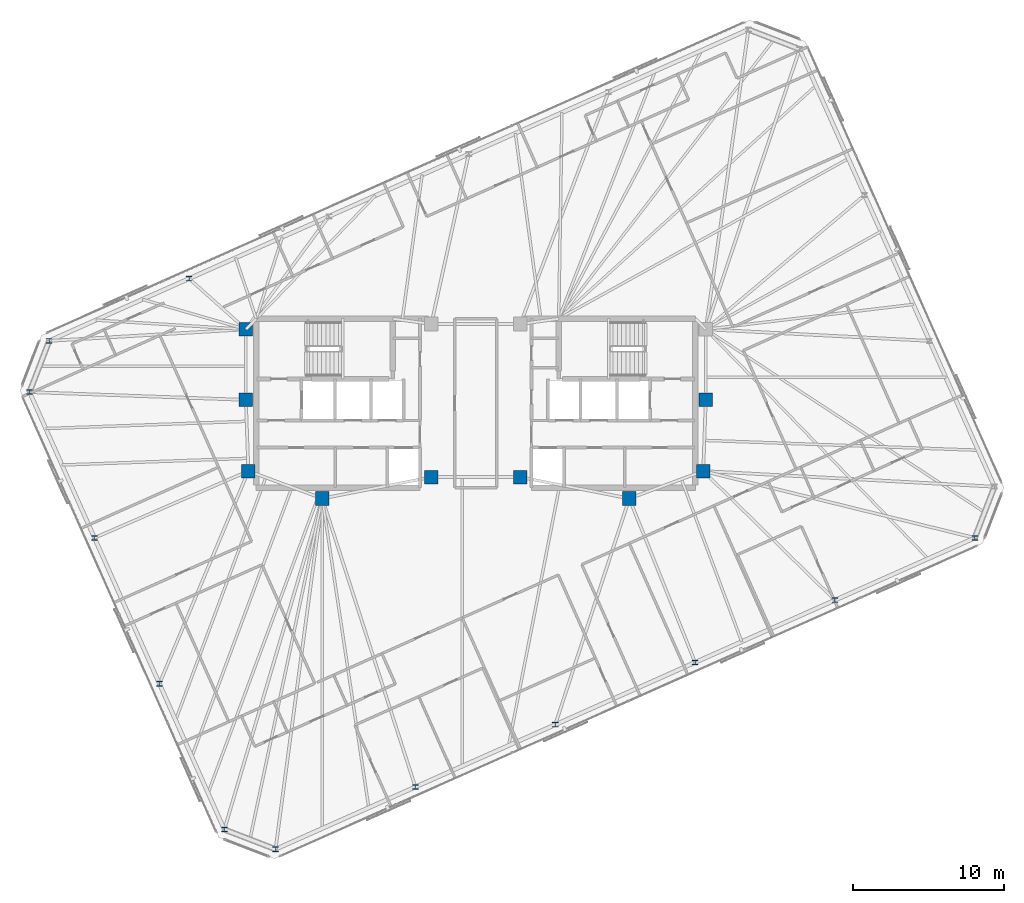
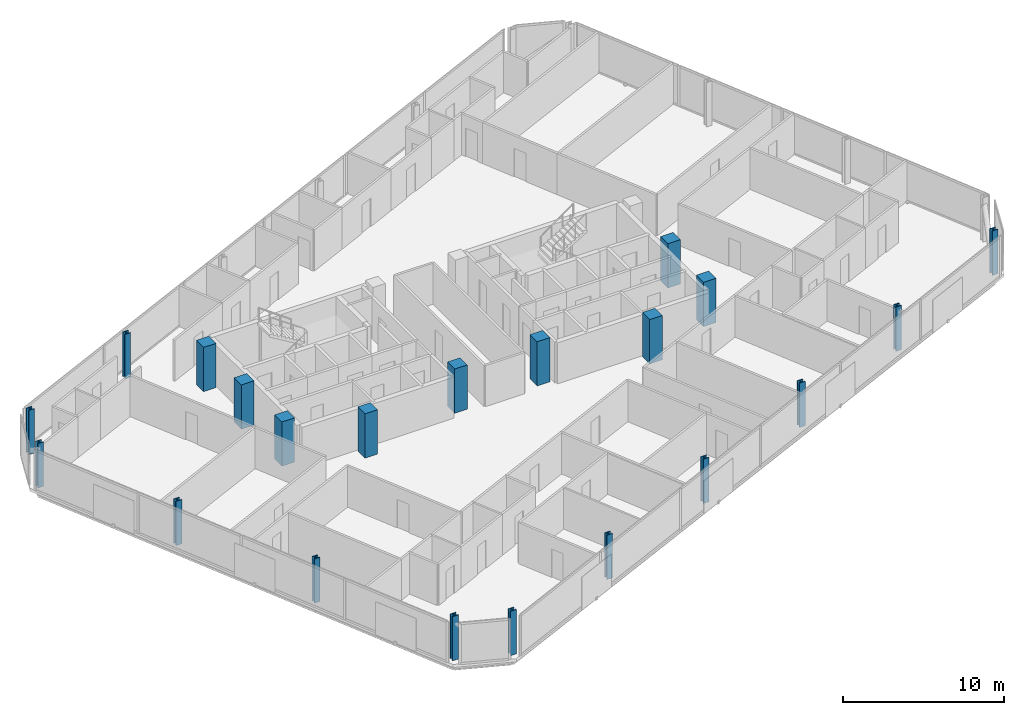
# One storey, part 1 of 18: 21 columns.
"""IFC4 building model written with IfcOpenShell, lengths in metres."""

from ifc_helpers import new_model, si_unit, direction, frame, origin, origin_2d, place, context, subcontext, project, spatial, rectangle, i_section, extrude, material, material_profile, profile_set, type_object, element, save


model = new_model("IFC4")

# Units and contexts
model_context = context("Model", 3, precision=1e-05, world=origin(), true_north=direction((0.0, 1.0)))
body_context = subcontext(model_context, "Body", "Model", "MODEL_VIEW")
ifc_project = project(units=[si_unit("LENGTHUNIT", "METRE"), si_unit("AREAUNIT", "SQUARE_METRE"), si_unit("VOLUMEUNIT", "CUBIC_METRE"), si_unit("PLANEANGLEUNIT", "RADIAN"), si_unit("MASSUNIT", "GRAM", prefix="KILO")], contexts=[model_context])

# Site, building, storey
site_placement = place(None, origin())
site = spatial("IfcSite", under=ifc_project, at=site_placement, CompositionType="ELEMENT")
building_placement = place(site_placement, origin())
building = spatial("IfcBuilding", under=site, at=building_placement, Name="Menara Jurai Vektor", CompositionType="ELEMENT")
storey_placement = place(building_placement, frame((0.0, 0.0, 272.25)))
storey = spatial("IfcBuildingStorey", under=building, at=storey_placement, Name="L73", CompositionType="ELEMENT", Elevation=272.25)

# Columns
ifc_material_1 = material(Name="Concrete C50/60", Category="concrete")
ifc_material_profile_1 = material_profile(ifc_material_1, rectangle(XDim=0.89990234375, YDim=0.89990234375, at=origin_2d()), Name="RC 900x900")
ifc_profile_set_1 = profile_set([ifc_material_profile_1], Name="Concrete C50/60")
column_type_1 = type_object("IfcColumnType", Name="STR-COL-RC900", PredefinedType="COLUMN", material=ifc_profile_set_1)
for number, where, z_axis, x_axis, name in (
    (1, (-15.25, 4.89990234375, 0.0), (0.0, 0.0, 1.0), (1.0, 0.0, 0.0), "Core Spine Column CW-NW L73"),
    (2, (-15.25, 0.219970703125, 0.0), (0.0, 0.0, 1.0), (1.0, 0.0, 0.0), "Core Spine Column CW-WM L73"),
    (3, (-15.080078125, -4.5, 0.0), (0.0, 0.0, 1.0), (1.0, 0.0, 0.0), "Core Spine Column CW-SW L73"),
    (4, (-10.179931640625, -6.320068359375, 0.0), (0.0, 0.0, 1.0), (1.0, 0.0, 0.0), "Core Spine Column CW-SM L73"),
    (5, (-2.949951171875, -4.89990234375, 0.0), (0.0, 0.0, 1.0), (1.0, 0.0, 0.0), "Core Spine Column CW-SE L73"),
    (6, (15.25, 0.219970703125, 0.0), (0.0, 0.0, 1.0), (1.0, 0.0, 0.0), "Core Spine Column CE-EM L73"),
    (7, (15.080078125, -4.5, 0.0), (0.0, 0.0, 1.0), (1.0, 0.0, 0.0), "Core Spine Column CE-SE L73"),
    (8, (10.179931640625, -6.320068359375, 0.0), (0.0, 0.0, 1.0), (1.0, 0.0, 0.0), "Core Spine Column CE-SM L73"),
    (9, (2.949951171875, -4.89990234375, 0.0), (0.0, 0.0, 1.0), (1.0, 0.0, 0.0), "Core Spine Column CE-SW L73"),
):
    element("IfcColumn", number, at=place(storey_placement, frame(where, z_axis=z_axis, x_axis=x_axis)), inside=storey, type_object=column_type_1, Name=name, PredefinedType="COLUMN", context=body_context, shape_type="SweptSolid", body=[
        extrude(rectangle(XDim=0.89990234375, YDim=0.89990234375, at=origin_2d()), origin(), (0.0, 0.0, 1.0), 3.35009765625),
    ])
ifc_material_2 = material(Name="Steel S460", Category="steel")
ifc_material_profile_2 = material_profile(ifc_material_2, i_section(OverallWidth=0.40087890625, OverallDepth=0.3349609375, WebThickness=0.035888671875, FlangeThickness=0.05810546875, FilletRadius=0.014892578125, at=origin_2d()), Name="HD 400x463")
ifc_profile_set_2 = profile_set([ifc_material_profile_2], Name="Steel S460")
column_type_2 = type_object("IfcColumnType", Name="STR-EXO-BLK5", PredefinedType="COLUMN", material=ifc_profile_set_2)
for number, where, z_axis, x_axis, name in (
    (10, (-13.279541015625, -29.576904296875, 0.0), (0.0, 0.0, 1.0), (1.0, 0.0, 0.0), "Exoskeleton Column BLK5-S1 L73"),
    (11, (-4.006103515625, -25.4482421875, 0.0), (0.0, 0.0, 1.0), (1.0, 0.0, 0.0), "Exoskeleton Column BLK5-S2 L73"),
    (12, (5.267578125, -21.3193359375, 0.0), (0.0, 0.0, 1.0), (1.0, 0.0, 0.0), "Exoskeleton Column BLK5-S3 L73"),
    (13, (14.541015625, -17.1904296875, 0.0), (0.0, 0.0, 1.0), (1.0, 0.0, 0.0), "Exoskeleton Column BLK5-S4 L73"),
    (14, (23.814453125, -13.061767578125, 0.0), (0.0, 0.0, 1.0), (1.0, 0.0, 0.0), "Exoskeleton Column BLK5-S5 L73"),
    (15, (33.088134765625, -8.932861328125, 0.0), (0.0, 0.0, 1.0), (1.0, 0.0, 0.0), "Exoskeleton Column BLK5-S6 L73"),
    (16, (-19.0146484375, 8.26171875, 0.0), (0.0, 0.0, 1.0), (1.0, 0.0, 0.0), "Exoskeleton Column BLK5-N5 L73"),
    (17, (-28.2880859375, 4.1328125, 0.0), (0.0, 0.0, 1.0), (1.0, 0.0, 0.0), "Exoskeleton Column BLK5-N6 L73"),
    (18, (-29.591796875, 0.73681640625, 0.0), (0.0, 0.0, 1.0), (1.0, 0.0, 0.0), "Exoskeleton Column BLK5-W1 L73"),
    (19, (-25.286376953125, -8.933349609375, 0.0), (0.0, 0.0, 1.0), (1.0, 0.0, 0.0), "Exoskeleton Column BLK5-W2 L73"),
    (20, (-20.98095703125, -18.603271484375, 0.0), (0.0, 0.0, 1.0), (1.0, 0.0, 0.0), "Exoskeleton Column BLK5-W3 L73"),
    (21, (-16.675537109375, -28.2734375, 0.0), (0.0, 0.0, 1.0), (1.0, 0.0, 0.0), "Exoskeleton Column BLK5-W4 L73"),
):
    element("IfcColumn", number, at=place(storey_placement, frame(where, z_axis=z_axis, x_axis=x_axis)), inside=storey, type_object=column_type_2, Name=name, PredefinedType="COLUMN", context=body_context, shape_type="SweptSolid", body=[
        extrude(i_section(OverallWidth=0.40087890625, OverallDepth=0.3349609375, WebThickness=0.035888671875, FlangeThickness=0.05810546875, FilletRadius=0.014892578125, at=origin_2d()), origin(), (0.0, 0.0, 1.0), 3.35009765625),
    ])

save(model, "model.ifc")
